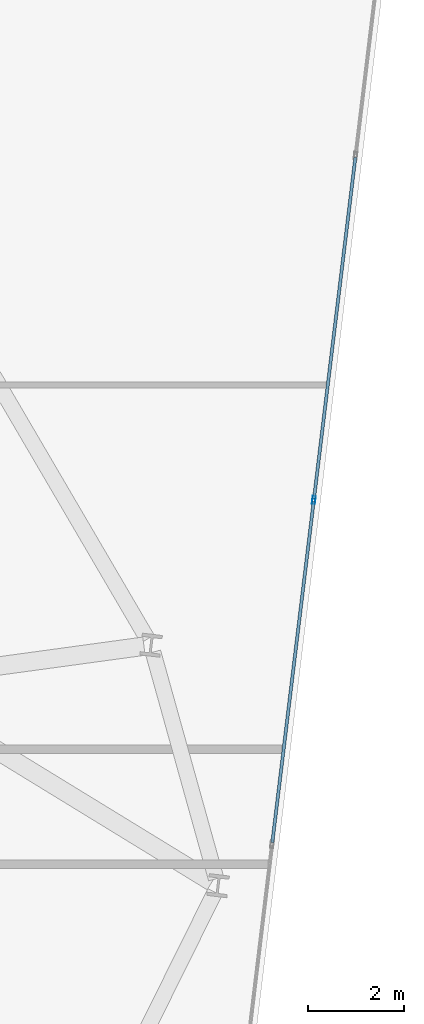
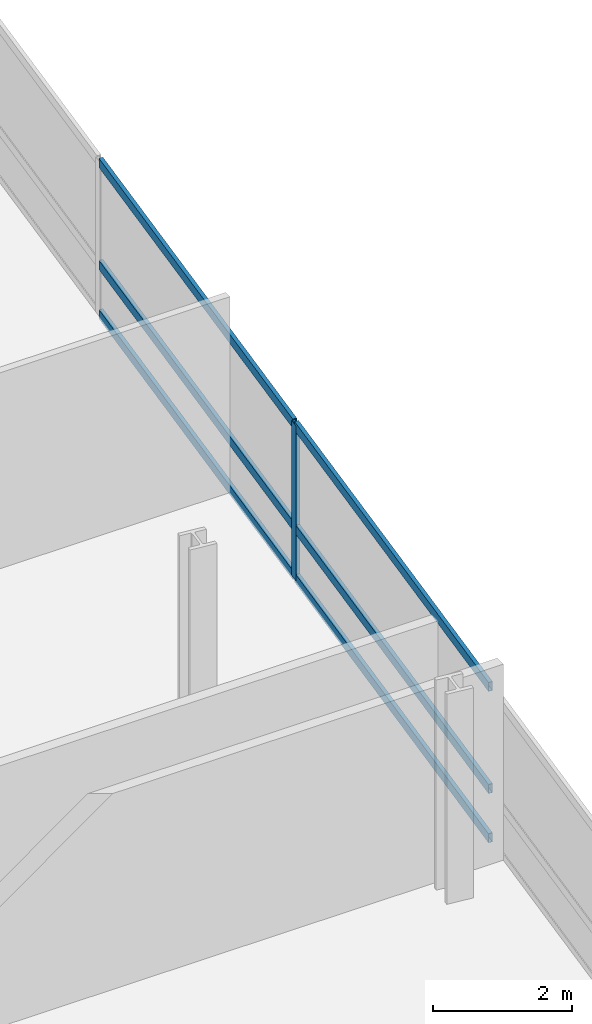
# One storey, part 16 of 26: 7 members, 1 element without a shape of its own.
"""IFC4 building model written with IfcOpenShell, lengths in metres."""

import ifcopenshell
import ifcopenshell.guid

model = None  # the IFC model being written
_history = None  # IfcOwnerHistory: only IFC2X3 demands one
_inside = {}  # id of a spatial element -> (the spatial element, [elements in it])
_under = {}  # id of a project, library or spatial element -> (it, [spatial elements below it])
_declared = {}  # id of a project -> (the project, [libraries it declares])
_typed = {}  # id of a type object -> (the type object, [elements of that type])
_made_of = {}  # id of a material, layer set ... -> (it, [elements and type objects made of it])


def new_model(schema):
    """Start an empty IFC model of exactly this schema.

    Asked for "IFC4X3", IfcOpenShell would pick the latest addendum, in which some entities
    have other attributes; the version numbers below select the first issue.
    IFC2X3 requires an IfcOwnerHistory on every rooted entity: one is made here for all.
    """
    global model, _history
    if schema == "IFC4X3":
        model = ifcopenshell.file(schema_version=(4, 3, 0, 0))
    else:
        model = ifcopenshell.file(schema=schema)
    _inside.clear()
    _under.clear()
    _declared.clear()
    _typed.clear()
    _made_of.clear()
    _history = None
    if model.schema == "IFC2X3":
        org = make("IfcOrganization", Name="unknown")
        user = make(
            "IfcPersonAndOrganization",
            ThePerson=make("IfcPerson", FamilyName="unknown"),
            TheOrganization=org,
        )
        app = make(
            "IfcApplication",
            ApplicationDeveloper=org,
            Version="unknown",
            ApplicationFullName="unknown",
            ApplicationIdentifier="unknown",
        )
        _history = make(
            "IfcOwnerHistory",
            OwningUser=user,
            OwningApplication=app,
            ChangeAction="ADDED",
            CreationDate=0,
        )
    return model


def make(cls, **values):
    """One entity of the class cls with the attributes given. An attribute that is None is left unset."""
    return model.create_entity(
        cls, **{name: value for name, value in values.items() if value is not None}
    )


def rooted(cls, **values):
    """An entity with a GlobalId (a new one), such as an element, a storey or a relation."""
    return make(cls, GlobalId=ifcopenshell.guid.new(), OwnerHistory=_history, **values)


def si_unit(unit_type, name, prefix=None):
    """IfcSIUnit, for example si_unit("LENGTHUNIT", "METRE", prefix="MILLI")."""
    return make("IfcSIUnit", UnitType=unit_type, Prefix=prefix, Name=name)


def assignment(units):
    """IfcUnitAssignment: the units of a project."""
    return None if units is None else make("IfcUnitAssignment", Units=units)


def point(xyz):
    """IfcCartesianPoint."""
    return None if xyz is None else make("IfcCartesianPoint", Coordinates=xyz)


def direction(xyz):
    """IfcDirection."""
    return None if xyz is None else make("IfcDirection", DirectionRatios=xyz)


def frame(location, z_axis=None, x_axis=None):
    """IfcAxis2Placement3D, a coordinate frame: its origin and axes. An axis left out is left unset."""
    return make(
        "IfcAxis2Placement3D",
        Location=point(location),
        Axis=direction(z_axis),
        RefDirection=direction(x_axis),
    )


def frame_2d(location, x_axis=None):
    """IfcAxis2Placement2D, a coordinate frame in the plane: its origin and x axis."""
    return make(
        "IfcAxis2Placement2D", Location=point(location), RefDirection=direction(x_axis)
    )


def origin():
    """The frame at (0, 0, 0) with its axes left unset."""
    return frame((0.0, 0.0, 0.0))


def origin_2d():
    """The frame at (0, 0) in the plane with its x axis left unset."""
    return frame_2d((0.0, 0.0))


def place(relative_to, where):
    """IfcLocalPlacement: puts the frame where relative to a parent placement (None: the world)."""
    return make(
        "IfcLocalPlacement", PlacementRelTo=relative_to, RelativePlacement=where
    )


def context(
    kind, dimensions, precision=None, world=None, true_north=None, identifier=None
):
    """IfcGeometricRepresentationContext, for example the 3D "Model" context."""
    return make(
        "IfcGeometricRepresentationContext",
        ContextIdentifier=identifier,
        ContextType=kind,
        CoordinateSpaceDimension=dimensions,
        Precision=precision,
        WorldCoordinateSystem=world,
        TrueNorth=true_north,
    )


def subcontext(parent, identifier, kind, view, scale=None):
    """IfcGeometricRepresentationSubContext, for example "Body" below "Model"."""
    return make(
        "IfcGeometricRepresentationSubContext",
        ContextIdentifier=identifier,
        ContextType=kind,
        ParentContext=parent,
        TargetScale=scale,
        TargetView=view,
    )


def project(units=None, contexts=None):
    """IfcProject with its units and contexts."""
    return rooted(
        "IfcProject",
        Name="project",
        RepresentationContexts=contexts,
        UnitsInContext=assignment(units),
    )


def spatial(cls, under=None, at=None, **own):
    """A site, building, storey or space (cls), placed at a placement, below another one or the project."""
    s = rooted(cls, ObjectPlacement=at, **own)
    if under is not None:
        _under.setdefault(under.id(), (under, []))[1].append(s)
    return s


def profile(cls, at=None, kind="AREA", **sizes):
    """A parametric profile (cls). Its sizes go by their IFC names, for example OverallWidth=200.0."""
    return make(cls, ProfileType=kind, Position=at, **sizes)


def hollow_rectangle(**sizes):
    """IfcRectangleHollowProfileDef."""
    return profile("IfcRectangleHollowProfileDef", **sizes)


def extrude(swept, where, along, depth):
    """IfcExtrudedAreaSolid: the profile swept, set in the frame where, extruded along a direction by depth."""
    return make(
        "IfcExtrudedAreaSolid",
        SweptArea=swept,
        Position=where,
        ExtrudedDirection=direction(along),
        Depth=depth,
    )


def shape(context_of_items, identifier, shape_type, items):
    """IfcShapeRepresentation: the items that make up one representation, for example the "Body"."""
    return make(
        "IfcShapeRepresentation",
        ContextOfItems=context_of_items,
        RepresentationIdentifier=identifier,
        RepresentationType=shape_type,
        Items=items,
    )


def material(Name=None, Category=None):
    """IfcMaterial."""
    return make("IfcMaterial", Name=Name, Category=Category)


def layer(
    of_material, thickness, ventilated=None, Name=None, Category=None, Priority=None
):
    """IfcMaterialLayer: one layer of a wall or slab, of a material (None: an air gap)."""
    return make(
        "IfcMaterialLayer",
        Material=of_material,
        LayerThickness=thickness,
        IsVentilated=ventilated,
        Name=Name,
        Category=Category,
        Priority=Priority,
    )


def layer_set(layers, Name=None):
    """IfcMaterialLayerSet."""
    return make("IfcMaterialLayerSet", MaterialLayers=layers, LayerSetName=Name)


def material_profile(
    of_material, cross_section, Name=None, Category=None, Priority=None
):
    """IfcMaterialProfile: a cross section and its material."""
    return make(
        "IfcMaterialProfile",
        Name=Name,
        Material=of_material,
        Profile=cross_section,
        Priority=Priority,
        Category=Category,
    )


def profile_set(profiles, Name=None, composite=None):
    """IfcMaterialProfileSet."""
    return make(
        "IfcMaterialProfileSet",
        Name=Name,
        MaterialProfiles=profiles,
        CompositeProfile=composite,
    )


def made_of(thing, what):
    """Note that an element or type object is made of a material, layer set ...; save() writes the relation."""
    if what is not None:
        _made_of.setdefault(what.id(), (what, []))[1].append(thing)
    return thing


def type_object(cls, material=None, **own):
    """A type object (cls), such as IfcWallType, which elements share."""
    return made_of(rooted(cls, **own), material)


def element(
    cls,
    number,
    at=None,
    inside=None,
    cuts=None,
    type_object=None,
    material=None,
    context=None,
    identifier="Body",
    shape_type=None,
    held_by="IfcProductDefinitionShape",
    body=None,
    shapes=None,
    **own,
):
    """One element of the class cls, such as IfcWall. Its Tag is "e" and its number.

    at: its placement. inside: the storey or other place that contains it. cuts: it is an
    opening in that element (IfcRelVoidsElement). A single representation is given by context,
    identifier, shape_type and body (its items); several are given by shapes. held_by: the class
    of the entity that holds the representations. save() writes the other relations.
    """
    e = rooted(cls, Tag="e%d" % number, ObjectPlacement=at, **own)
    if body is not None:
        shapes = [shape(context, identifier, shape_type, body)]
    if shapes is not None:
        e.Representation = make(held_by, Representations=shapes)
    if inside is not None:
        _inside.setdefault(inside.id(), (inside, []))[1].append(e)
    if cuts is not None:
        rooted(
            "IfcRelVoidsElement", RelatingBuildingElement=cuts, RelatedOpeningElement=e
        )
    if type_object is not None:
        _typed.setdefault(type_object.id(), (type_object, []))[1].append(e)
    return made_of(e, material)


def aggregate(whole, parts):
    """IfcRelAggregates: a whole, such as a stair, and the parts it consists of."""
    return rooted("IfcRelAggregates", RelatingObject=whole, RelatedObjects=parts)


def save(model, path):
    """Write the relations noted so far, then the file.

    IfcRelAggregates (storeys below a building ...), IfcRelContainedInSpatialStructure (elements
    in a storey), IfcRelDefinesByType, IfcRelAssociatesMaterial and IfcRelDeclares: one each for
    every whole, place, type object, material and project.
    """
    for whole, parts in _under.values():
        aggregate(whole, parts)
    for where, things in _inside.values():
        rooted(
            "IfcRelContainedInSpatialStructure",
            RelatedElements=things,
            RelatingStructure=where,
        )
    for kind, things in _typed.values():
        rooted("IfcRelDefinesByType", RelatedObjects=things, RelatingType=kind)
    for what, things in _made_of.values():
        rooted("IfcRelAssociatesMaterial", RelatedObjects=things, RelatingMaterial=what)
    for by, libraries in _declared.values():
        rooted("IfcRelDeclares", RelatingContext=by, RelatedDefinitions=libraries)
    model.write(path)


model = new_model("IFC4")

# Units and contexts
model_context = context("Model", 3, precision=1e-05, world=origin(), true_north=direction((0.0, 1.0)))
body_context = subcontext(model_context, "Body", "Model", "MODEL_VIEW")
ifc_project = project(units=[si_unit("LENGTHUNIT", "METRE"), si_unit("AREAUNIT", "SQUARE_METRE"), si_unit("VOLUMEUNIT", "CUBIC_METRE"), si_unit("PLANEANGLEUNIT", "RADIAN"), si_unit("MASSUNIT", "GRAM", prefix="KILO")], contexts=[model_context])

# Site, building, storey
site_placement = place(None, origin())
site = spatial("IfcSite", under=ifc_project, at=site_placement, CompositionType="ELEMENT")
building_placement = place(site_placement, origin())
building = spatial("IfcBuilding", under=site, at=building_placement, Name="Varnelok Gate Tower", CompositionType="ELEMENT")
storey_placement = place(building_placement, frame((0.0, 0.0, 147.60009765625)))
storey = spatial("IfcBuildingStorey", under=building, at=storey_placement, Name="L37", CompositionType="ELEMENT", Elevation=147.60009765625)

# Curtain wall, members
ifc_material = material(Name="Anodized Aluminum Alloy 6063-T6", Category="aluminium")
ifc_layer = layer(ifc_material, 0.179931640625)
ifc_layer_set = layer_set([ifc_layer], Name="Anodized Aluminum Alloy 6063-T6")
curtain_wall_type = type_object("IfcCurtainWallType", Name="CW3-HOTEL-VISION", PredefinedType="USERDEFINED", material=ifc_layer_set)
curtain_wall_placement = place(storey_placement, origin())
curtain_wall = element("IfcCurtainWall", 1, at=curtain_wall_placement, inside=storey, type_object=curtain_wall_type, Name="L37 East End Vision Curtain Wall", ObjectType="UNITISED CURTAIN WALL", PredefinedType="USERDEFINED")
ifc_material_profile_1 = material_profile(ifc_material, hollow_rectangle(XDim=0.06494140625, YDim=0.159912109375, WallThickness=0.00390625, at=origin_2d()), Name="ALU160X65X4")
ifc_profile_set_1 = profile_set([ifc_material_profile_1], Name="Anodized Aluminum Alloy 6063-T6")
member_type_1 = type_object("IfcMemberType", Name="CW-MULL-160", PredefinedType="MULLION", material=ifc_profile_set_1)
member_1_placement = place(storey_placement, frame((76.423828125, 24.413818359375, 0.0), z_axis=(0.0, 0.0, 1.0), x_axis=(0.99273188146, -0.120347046212, 0.0)))
member_1 = element("IfcMember", 2, at=member_1_placement, type_object=member_type_1, Name="CW3 mullion 3", PredefinedType="MULLION", context=body_context, shape_type="SweptSolid", body=[
    extrude(hollow_rectangle(XDim=0.06494140625, YDim=0.159912109375, WallThickness=0.00390625, at=origin_2d()), origin(), (0.0, 0.0, 1.0), 2.72998046875),
])
ifc_material_profile_2 = material_profile(ifc_material, hollow_rectangle(XDim=0.06494140625, YDim=0.159912109375, WallThickness=0.00390625, at=origin_2d()), Name="ALU160X65X4")
ifc_profile_set_2 = profile_set([ifc_material_profile_2], Name="Anodized Aluminum Alloy 6063-T6")
member_type_2 = type_object("IfcMemberType", Name="CW-TRAN-160", PredefinedType="USERDEFINED", material=ifc_profile_set_2)
member_2_placement = place(storey_placement, frame((77.286376953125, 31.529296875, 0.032470703125), z_axis=(-0.120340564253, -0.992732667235, 0.0), x_axis=(0.992732667235, -0.120340564253, 0.0)))
member_2 = element("IfcMember", 3, at=member_2_placement, type_object=member_type_2, Name="CW3 transom 2.1", ObjectType="TRANSOM", PredefinedType="USERDEFINED", context=body_context, shape_type="SweptSolid", body=[
    extrude(hollow_rectangle(XDim=0.06494140625, YDim=0.159912109375, WallThickness=0.00390625, at=origin_2d()), origin(), (0.0, 0.0, 1.0), 7.135009765625),
])
member_3_placement = place(storey_placement, frame((77.286376953125, 31.529296875, 0.89990234375), z_axis=(-0.120340564253, -0.992732667235, 0.0), x_axis=(0.992732667235, -0.120340564253, 0.0)))
member_3 = element("IfcMember", 4, at=member_3_placement, type_object=member_type_2, Name="CW3 transom 2.2", ObjectType="TRANSOM", PredefinedType="USERDEFINED", context=body_context, shape_type="SweptSolid", body=[
    extrude(hollow_rectangle(XDim=0.06494140625, YDim=0.159912109375, WallThickness=0.00390625, at=origin_2d()), origin(), (0.0, 0.0, 1.0), 7.135009765625),
])
member_4_placement = place(storey_placement, frame((77.286376953125, 31.529296875, 2.697509765625), z_axis=(-0.120340564253, -0.992732667235, 0.0), x_axis=(0.992732667235, -0.120340564253, 0.0)))
member_4 = element("IfcMember", 5, at=member_4_placement, type_object=member_type_2, Name="CW3 transom 2.3", ObjectType="TRANSOM", PredefinedType="USERDEFINED", context=body_context, shape_type="SweptSolid", body=[
    extrude(hollow_rectangle(XDim=0.06494140625, YDim=0.159912109375, WallThickness=0.00390625, at=origin_2d()), origin(), (0.0, 0.0, 1.0), 7.135009765625),
])
member_5_placement = place(storey_placement, frame((76.419921875, 24.381591796875, 0.032470703125), z_axis=(-0.120340564253, -0.992732667235, 0.0), x_axis=(0.992732667235, -0.120340564253, 0.0)))
member_5 = element("IfcMember", 6, at=member_5_placement, type_object=member_type_2, Name="CW3 transom 3.1", ObjectType="TRANSOM", PredefinedType="USERDEFINED", context=body_context, shape_type="SweptSolid", body=[
    extrude(hollow_rectangle(XDim=0.06494140625, YDim=0.159912109375, WallThickness=0.00390625, at=origin_2d()), origin(), (0.0, 0.0, 1.0), 7.135009765625),
])
member_6_placement = place(storey_placement, frame((76.419921875, 24.381591796875, 0.89990234375), z_axis=(-0.120340564253, -0.992732667235, 0.0), x_axis=(0.992732667235, -0.120340564253, 0.0)))
member_6 = element("IfcMember", 7, at=member_6_placement, type_object=member_type_2, Name="CW3 transom 3.2", ObjectType="TRANSOM", PredefinedType="USERDEFINED", context=body_context, shape_type="SweptSolid", body=[
    extrude(hollow_rectangle(XDim=0.06494140625, YDim=0.159912109375, WallThickness=0.00390625, at=origin_2d()), origin(), (0.0, 0.0, 1.0), 7.135009765625),
])
member_7_placement = place(storey_placement, frame((76.419921875, 24.381591796875, 2.697509765625), z_axis=(-0.120340564253, -0.992732667235, 0.0), x_axis=(0.992732667235, -0.120340564253, 0.0)))
member_7 = element("IfcMember", 8, at=member_7_placement, type_object=member_type_2, Name="CW3 transom 3.3", ObjectType="TRANSOM", PredefinedType="USERDEFINED", context=body_context, shape_type="SweptSolid", body=[
    extrude(hollow_rectangle(XDim=0.06494140625, YDim=0.159912109375, WallThickness=0.00390625, at=origin_2d()), origin(), (0.0, 0.0, 1.0), 7.135009765625),
])
aggregate(curtain_wall, [member_1, member_2, member_3, member_4, member_5, member_6, member_7])

save(model, "model.ifc")
